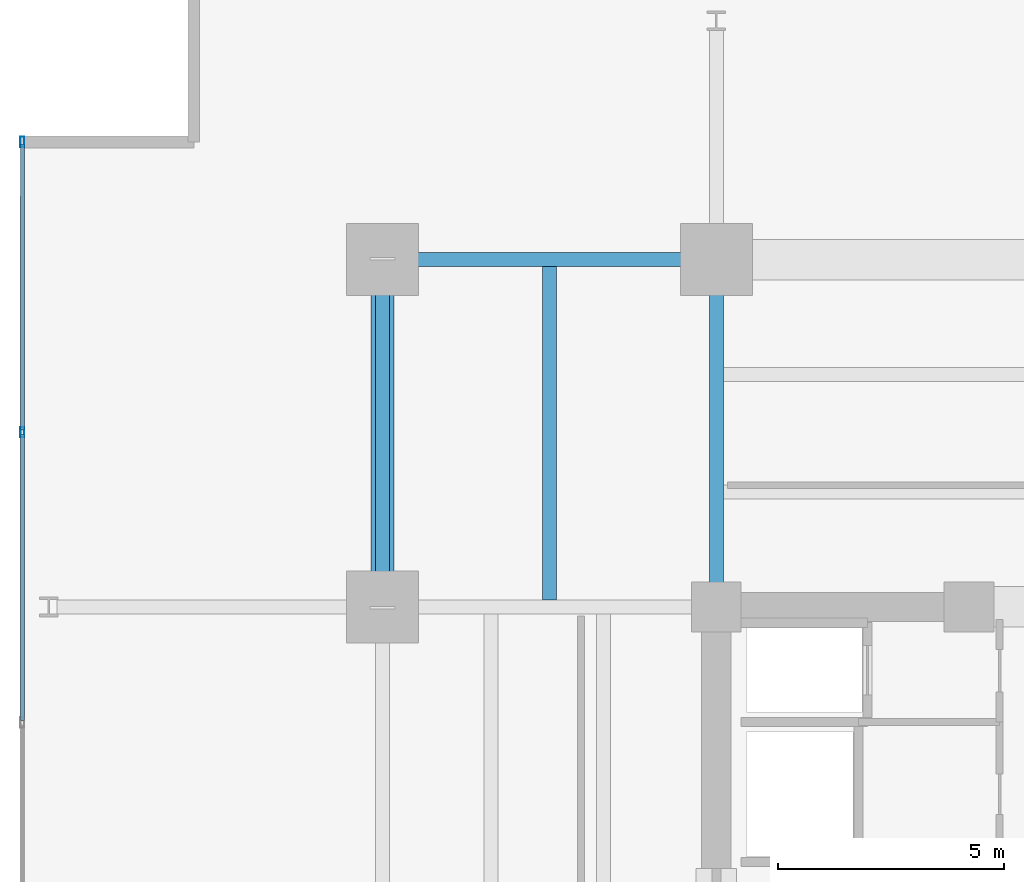
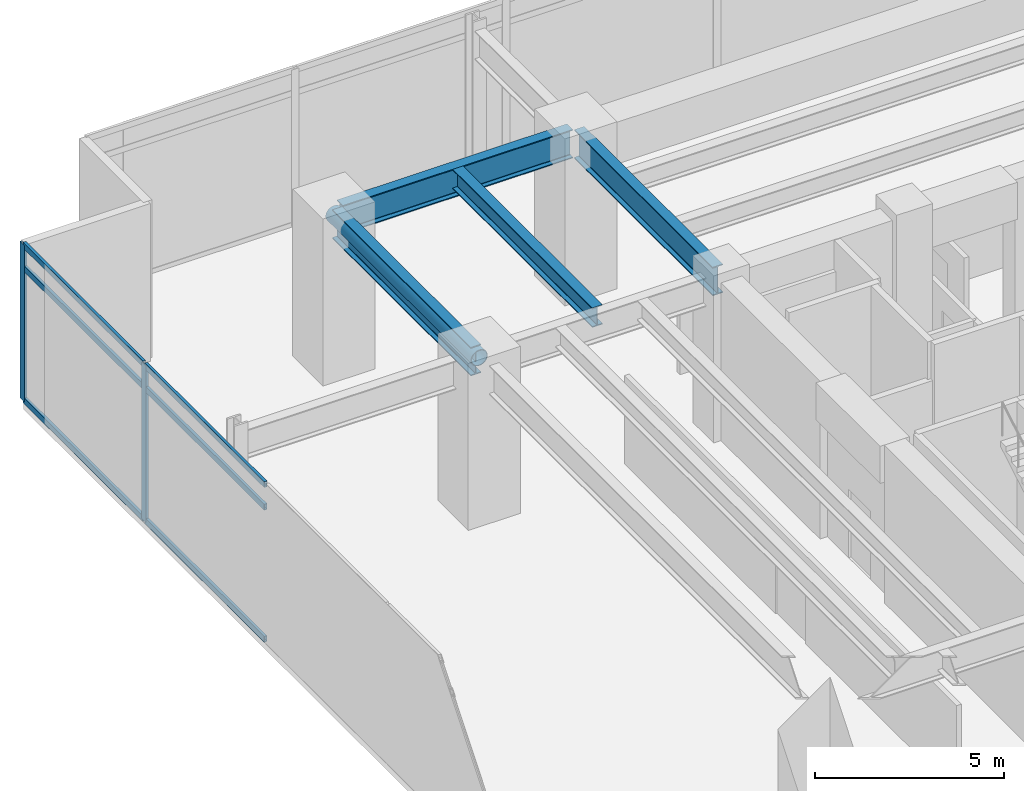
# One storey, part 12 of 23: 9 members, 4 beams, 1 element without a shape of its own.
"""IFC4 building model written with IfcOpenShell, lengths in metres."""

from ifc_helpers import new_model, si_unit, direction, frame, origin, origin_2d, place, context, subcontext, project, spatial, hollow_rectangle, hollow_circle, i_section, extrude, material, material_profile, profile_set, type_object, element, aggregate, save


model = new_model("IFC4")

# Units and contexts
model_context = context("Model", 3, precision=1e-05, world=origin(), true_north=direction((0.0, 1.0)))
body_context = subcontext(model_context, "Body", "Model", "MODEL_VIEW")
ifc_project = project(units=[si_unit("LENGTHUNIT", "METRE"), si_unit("AREAUNIT", "SQUARE_METRE"), si_unit("VOLUMEUNIT", "CUBIC_METRE"), si_unit("PLANEANGLEUNIT", "RADIAN"), si_unit("MASSUNIT", "GRAM", prefix="KILO")], contexts=[model_context])

# Site, building, storey
site_placement = place(None, origin())
site = spatial("IfcSite", under=ifc_project, at=site_placement, CompositionType="ELEMENT")
building_placement = place(site_placement, origin())
building = spatial("IfcBuilding", under=site, at=building_placement, Name="Kovane Verandah Tower", CompositionType="ELEMENT")
storey_placement = place(building_placement, frame((0.0, 0.0, 107.60009765625)))
storey = spatial("IfcBuildingStorey", under=building, at=storey_placement, Name="L25", CompositionType="ELEMENT", Elevation=107.60009765625)

# Beams
ifc_material_1 = material(Name="Steel S460", Category="steel")
ifc_material_profile_1 = material_profile(ifc_material_1, i_section(OverallWidth=0.311279296875, OverallDepth=0.6357421875, WebThickness=0.018310546875, FlangeThickness=0.031494140625, FilletRadius=0.0166015625, at=origin_2d()), Name="UB610x305x238")
ifc_profile_set_1 = profile_set([ifc_material_profile_1], Name="Steel S460")
beam_type_1 = type_object("IfcBeamType", Name="BM-UB610x238", PredefinedType="BEAM", material=ifc_profile_set_1)
beam_1_placement = place(storey_placement, frame((25.300048828125, 36.65185546875, 4.781982421875), z_axis=(0.0, 1.0, 0.0), x_axis=(-1.0, 0.0, 0.0)))
element("IfcBeam", 1, at=beam_1_placement, inside=storey, type_object=beam_type_1, Name="L25 Secondary Composite Joist J-NW1", PredefinedType="BEAM", context=body_context, shape_type="SweptSolid", body=[
    extrude(i_section(OverallWidth=0.311279296875, OverallDepth=0.6357421875, WebThickness=0.018310546875, FlangeThickness=0.031494140625, FilletRadius=0.0166015625, at=origin_2d()), origin(), (0.0, 0.0, 1.0), 7.396240234375),
])
ifc_material_profile_2 = material_profile(ifc_material_1, i_section(OverallWidth=0.3076171875, OverallDepth=0.926513671875, WebThickness=0.01953125, FlangeThickness=0.031982421875, FilletRadius=0.01904296875, at=origin_2d()), Name="UB914x305x289")
ifc_profile_set_2 = profile_set([ifc_material_profile_2], Name="Steel S460")
beam_type_2 = type_object("IfcBeamType", Name="BM-UB914x289", PredefinedType="BEAM", material=ifc_profile_set_2)
beam_2_placement = place(storey_placement, frame((21.780029296875, 44.199951171875, 4.63671875), z_axis=(1.0, 0.0, 0.0), x_axis=(0.0, 1.0, 0.0)))
element("IfcBeam", 2, at=beam_2_placement, inside=storey, type_object=beam_type_2, Name="L25 Primary Tower Girder G-RN1", PredefinedType="BEAM", context=body_context, shape_type="SweptSolid", body=[
    extrude(i_section(OverallWidth=0.3076171875, OverallDepth=0.926513671875, WebThickness=0.01953125, FlangeThickness=0.031982421875, FilletRadius=0.01904296875, at=origin_2d()), origin(), (0.0, 0.0, 1.0), 7.0400390625),
])
for number, where, z_axis, x_axis, name in (
    (3, (21.60009765625, 36.679931640625, 4.63671875), (0.0, 1.0, 0.0), (-1.0, 0.0, 0.0), "L25 Primary Tower Girder G-RW3"),
    (4, (29.0, 36.679931640625, 4.63671875), (0.0, 1.0, 0.0), (-1.0, 0.0, 0.0), "L25 Primary Tower Girder G-N1"),
):
    element("IfcBeam", number, at=place(storey_placement, frame(where, z_axis=z_axis, x_axis=x_axis)), inside=storey, type_object=beam_type_2, Name=name, PredefinedType="BEAM", context=body_context, shape_type="SweptSolid", body=[
        extrude(i_section(OverallWidth=0.3076171875, OverallDepth=0.926513671875, WebThickness=0.01953125, FlangeThickness=0.031982421875, FilletRadius=0.01904296875, at=origin_2d()), origin(), (0.0, 0.0, 1.0), 7.340087890625),
    ])

# Curtain wall, members
ifc_material_2 = material(Name="Champagne Anodised Aluminium Frame with Low-E Clear Laminated Glass", Category="aluminium")
curtain_wall_type = type_object("IfcCurtainWallType", Name="CW-SYS-02-LOW", PredefinedType="NOTDEFINED", material=ifc_material_2)
curtain_wall_placement = place(storey_placement, origin())
curtain_wall = element("IfcCurtainWall", 5, at=curtain_wall_placement, inside=storey, type_object=curtain_wall_type, Name="L25 W Unitised Curtain Wall", PredefinedType="NOTDEFINED")
ifc_material_3 = material(Name="Champagne Anodised Aluminium 6063-T6", Category="aluminium")
ifc_material_profile_3 = material_profile(ifc_material_3, hollow_rectangle(XDim=0.0849609375, YDim=0.22998046875, WallThickness=0.00390625, at=origin_2d()), Name="AL85x230x4")
ifc_profile_set_3 = profile_set([ifc_material_profile_3], Name="Champagne Anodised Aluminium 6063-T6")
member_type_1 = type_object("IfcMemberType", Name="CW-MUL-85x230", PredefinedType="MULLION", material=ifc_profile_set_3)
member_1_placement = place(storey_placement, frame((13.613037109375, 46.810791015625, 0.02001953125), z_axis=(0.0, 0.0, 1.0), x_axis=(-1.0, 0.0, 0.0)))
member_1 = element("IfcMember", 6, at=member_1_placement, type_object=member_type_1, Name="L25 W Unitised Curtain Wall Mullion 1", PredefinedType="MULLION", context=body_context, shape_type="SweptSolid", body=[
    extrude(hollow_rectangle(XDim=0.0849609375, YDim=0.22998046875, WallThickness=0.00390625, at=origin_2d()), origin(), (0.0, 0.0, 1.0), 5.059814453125),
])
member_2_placement = place(storey_placement, frame((13.613037109375, 40.373779296875, 0.02001953125), z_axis=(0.0, 0.0, 1.0), x_axis=(-1.0, 0.0, 0.0)))
member_2 = element("IfcMember", 7, at=member_2_placement, type_object=member_type_1, Name="L25 W Unitised Curtain Wall Mullion 2", PredefinedType="MULLION", context=body_context, shape_type="SweptSolid", body=[
    extrude(hollow_rectangle(XDim=0.0849609375, YDim=0.22998046875, WallThickness=0.00390625, at=origin_2d()), origin(), (0.0, 0.0, 1.0), 5.059814453125),
])
ifc_material_profile_4 = material_profile(ifc_material_3, hollow_rectangle(XDim=0.0849609375, YDim=0.18994140625, WallThickness=0.00390625, at=origin_2d()), Name="AL85x190x4")
ifc_profile_set_4 = profile_set([ifc_material_profile_4], Name="Champagne Anodised Aluminium 6063-T6")
member_type_2 = type_object("IfcMemberType", Name="CW-TRN-85x190", PredefinedType="USERDEFINED", material=ifc_profile_set_4)
member_3_placement = place(storey_placement, frame((13.613037109375, 46.760986328125, 0.0498046875), z_axis=(0.0, -1.0, 0.0), x_axis=(1.0, 0.0, 0.0)))
member_3 = element("IfcMember", 8, at=member_3_placement, type_object=member_type_2, Name="L25 W Unitised Curtain Wall Transom TB Bay 1", ObjectType="TRANSOM", PredefinedType="USERDEFINED", context=body_context, shape_type="SweptSolid", body=[
    extrude(hollow_rectangle(XDim=0.0849609375, YDim=0.18994140625, WallThickness=0.00390625, at=origin_2d()), origin(), (0.0, 0.0, 1.0), 6.337158203125),
])
member_4_placement = place(storey_placement, frame((13.613037109375, 46.760986328125, 4.31982421875), z_axis=(0.0, -1.0, 0.0), x_axis=(1.0, 0.0, 0.0)))
member_4 = element("IfcMember", 9, at=member_4_placement, type_object=member_type_2, Name="L25 W Unitised Curtain Wall Transom TM Bay 1", ObjectType="TRANSOM", PredefinedType="USERDEFINED", context=body_context, shape_type="SweptSolid", body=[
    extrude(hollow_rectangle(XDim=0.0849609375, YDim=0.18994140625, WallThickness=0.00390625, at=origin_2d()), origin(), (0.0, 0.0, 1.0), 6.337158203125),
])
member_5_placement = place(storey_placement, frame((13.613037109375, 46.760986328125, 5.0498046875), z_axis=(0.0, -1.0, 0.0), x_axis=(1.0, 0.0, 0.0)))
member_5 = element("IfcMember", 10, at=member_5_placement, type_object=member_type_2, Name="L25 W Unitised Curtain Wall Transom TT Bay 1", ObjectType="TRANSOM", PredefinedType="USERDEFINED", context=body_context, shape_type="SweptSolid", body=[
    extrude(hollow_rectangle(XDim=0.0849609375, YDim=0.18994140625, WallThickness=0.00390625, at=origin_2d()), origin(), (0.0, 0.0, 1.0), 6.337158203125),
])
member_6_placement = place(storey_placement, frame((13.613037109375, 40.323974609375, 0.0498046875), z_axis=(0.0, -1.0, 0.0), x_axis=(1.0, 0.0, 0.0)))
member_6 = element("IfcMember", 11, at=member_6_placement, type_object=member_type_2, Name="L25 W Unitised Curtain Wall Transom TB Bay 2", ObjectType="TRANSOM", PredefinedType="USERDEFINED", context=body_context, shape_type="SweptSolid", body=[
    extrude(hollow_rectangle(XDim=0.0849609375, YDim=0.18994140625, WallThickness=0.00390625, at=origin_2d()), origin(), (0.0, 0.0, 1.0), 6.3369140625),
])
member_7_placement = place(storey_placement, frame((13.613037109375, 40.323974609375, 4.31982421875), z_axis=(0.0, -1.0, 0.0), x_axis=(1.0, 0.0, 0.0)))
member_7 = element("IfcMember", 12, at=member_7_placement, type_object=member_type_2, Name="L25 W Unitised Curtain Wall Transom TM Bay 2", ObjectType="TRANSOM", PredefinedType="USERDEFINED", context=body_context, shape_type="SweptSolid", body=[
    extrude(hollow_rectangle(XDim=0.0849609375, YDim=0.18994140625, WallThickness=0.00390625, at=origin_2d()), origin(), (0.0, 0.0, 1.0), 6.3369140625),
])
member_8_placement = place(storey_placement, frame((13.613037109375, 40.323974609375, 5.0498046875), z_axis=(0.0, -1.0, 0.0), x_axis=(1.0, 0.0, 0.0)))
member_8 = element("IfcMember", 13, at=member_8_placement, type_object=member_type_2, Name="L25 W Unitised Curtain Wall Transom TT Bay 2", ObjectType="TRANSOM", PredefinedType="USERDEFINED", context=body_context, shape_type="SweptSolid", body=[
    extrude(hollow_rectangle(XDim=0.0849609375, YDim=0.18994140625, WallThickness=0.00390625, at=origin_2d()), origin(), (0.0, 0.0, 1.0), 6.3369140625),
])
aggregate(curtain_wall, [member_1, member_2, member_3, member_4, member_5, member_6, member_7, member_8])

# Member
ifc_material_profile_5 = material_profile(ifc_material_1, hollow_circle(Radius=0.25390625, WallThickness=0.02001953125, at=origin_2d()), Name="CHS508x20")
ifc_profile_set_5 = profile_set([ifc_material_profile_5], Name="Steel S460")
member_type_3 = type_object("IfcMemberType", Name="MEM-BR-CHS508", PredefinedType="BRACE", material=ifc_profile_set_5)
member_9_placement = place(storey_placement, frame((21.60009765625, 36.5, 4.81982421875), z_axis=(0.0, 1.0, 0.0), x_axis=(-1.0, 0.0, 0.0)))
element("IfcMember", 14, at=member_9_placement, inside=storey, type_object=member_type_3, Name="L25 Belt-Truss Ring Chord BW2", PredefinedType="BRACE", context=body_context, shape_type="SweptSolid", body=[
    extrude(hollow_circle(Radius=0.25390625, WallThickness=0.02001953125, at=origin_2d()), origin(), (0.0, 0.0, 1.0), 7.699951171875),
])

save(model, "model.ifc")
